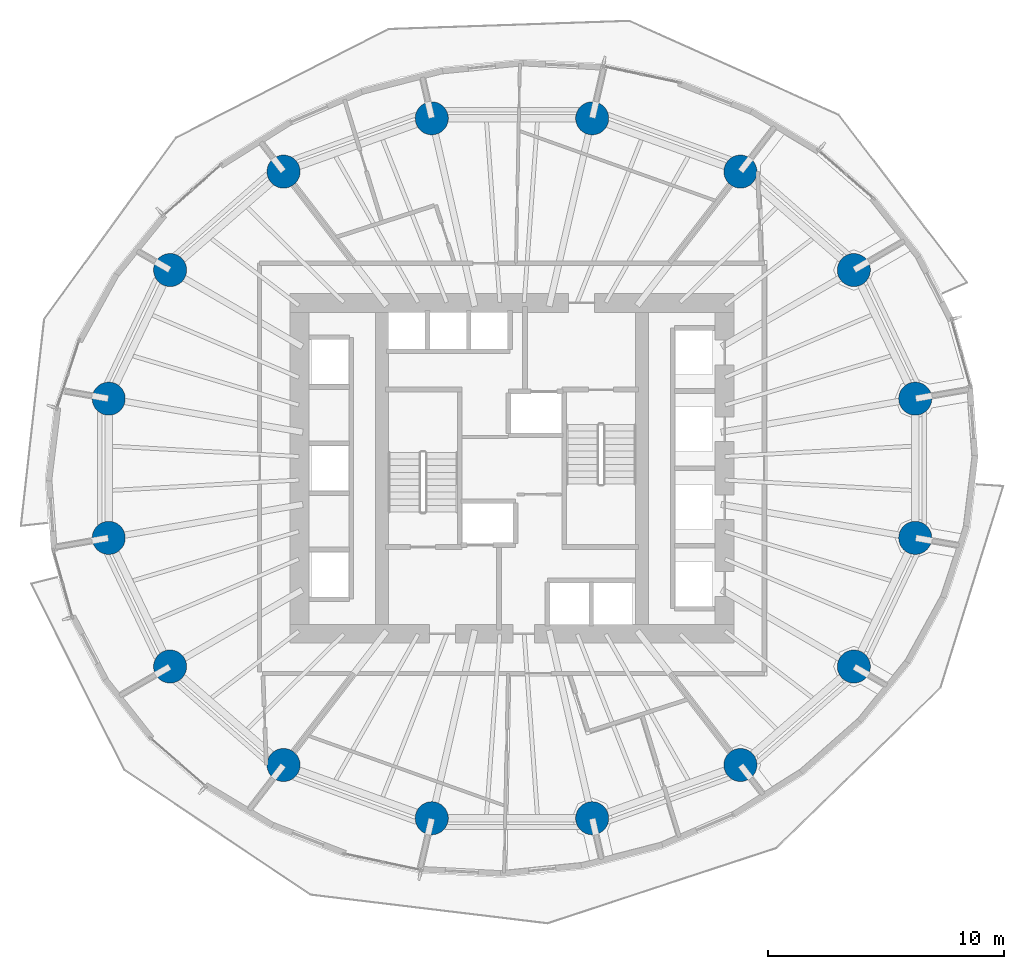
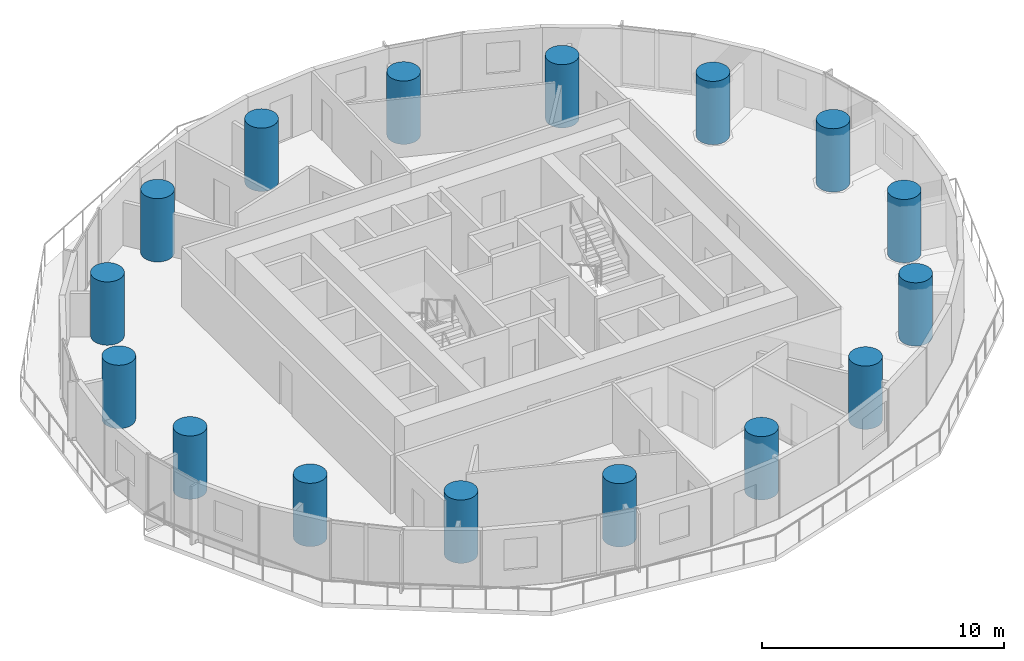
# One storey, part 1 of 13: 16 columns.
"""IFC4 building model written with IfcOpenShell, lengths in metres."""

from ifc_helpers import new_model, si_unit, direction, frame, origin, origin_2d, place, context, subcontext, project, spatial, circle, extrude, material, material_profile, profile_set, type_object, element, save


model = new_model("IFC4")

# Units and contexts
model_context = context("Model", 3, precision=1e-05, world=origin(), true_north=direction((0.0, 1.0)))
body_context = subcontext(model_context, "Body", "Model", "MODEL_VIEW")
ifc_project = project(units=[si_unit("LENGTHUNIT", "METRE"), si_unit("AREAUNIT", "SQUARE_METRE"), si_unit("VOLUMEUNIT", "CUBIC_METRE"), si_unit("PLANEANGLEUNIT", "RADIAN"), si_unit("MASSUNIT", "GRAM", prefix="KILO")], contexts=[model_context])

# Site, building, storey
site_placement = place(None, origin())
site = spatial("IfcSite", under=ifc_project, at=site_placement, CompositionType="ELEMENT")
building_placement = place(site_placement, origin())
building = spatial("IfcBuilding", under=site, at=building_placement, Name="Veldorim Arch Residences", CompositionType="ELEMENT")
storey_placement = place(building_placement, frame((0.0, 0.0, 47.199951171875)))
storey = spatial("IfcBuildingStorey", under=building, at=storey_placement, Name="L13", CompositionType="ELEMENT", Elevation=47.199951171875)

# Columns
ifc_material = material(Name="Concrete C60/75", Category="concrete")
ifc_material_profile = material_profile(ifc_material, circle(Radius=0.699951171875, at=origin_2d()), Name="RC_CIRC_1400")
ifc_profile_set = profile_set([ifc_material_profile], Name="Concrete C60/75")
column_type = type_object("IfcColumnType", Name="Structural Column RC_CIRC_1400", PredefinedType="COLUMN", material=ifc_profile_set)
for number, where, z_axis, x_axis, name in (
    (1, (49.065673828125, 26.94580078125, 0.0), (0.0, 0.0, 1.0), (1.0, 0.0, 0.0), "L13 TC-Z1-01 perimeter column"),
    (2, (46.467529296875, 32.38916015625, 0.0), (0.0, 0.0, 1.0), (1.0, 0.0, 0.0), "L13 TC-Z1-02 perimeter column"),
    (3, (41.6669921875, 36.55517578125, 0.0), (0.0, 0.0, 1.0), (1.0, 0.0, 0.0), "L13 TC-Z1-03 perimeter column"),
    (4, (35.39453125, 38.809814453125, 0.0), (0.0, 0.0, 1.0), (1.0, 0.0, 0.0), "L13 TC-Z1-04 perimeter column"),
    (5, (28.60546875, 38.809814453125, 0.0), (0.0, 0.0, 1.0), (1.0, 0.0, 0.0), "L13 TC-Z1-05 perimeter column"),
    (6, (22.3330078125, 36.55517578125, 0.0), (0.0, 0.0, 1.0), (1.0, 0.0, 0.0), "L13 TC-Z1-06 perimeter column"),
    (7, (17.532470703125, 32.38916015625, 0.0), (0.0, 0.0, 1.0), (1.0, 0.0, 0.0), "L13 TC-Z1-07 perimeter column"),
    (8, (14.934326171875, 26.94580078125, 0.0), (0.0, 0.0, 1.0), (1.0, 0.0, 0.0), "L13 TC-Z1-08 perimeter column"),
    (9, (14.934326171875, 21.05419921875, 0.0), (0.0, 0.0, 1.0), (1.0, 0.0, 0.0), "L13 TC-Z1-09 perimeter column"),
    (10, (17.532470703125, 15.61083984375, 0.0), (0.0, 0.0, 1.0), (1.0, 0.0, 0.0), "L13 TC-Z1-10 perimeter column"),
    (11, (22.3330078125, 11.44482421875, 0.0), (0.0, 0.0, 1.0), (1.0, 0.0, 0.0), "L13 TC-Z1-11 perimeter column"),
    (12, (28.60546875, 9.190185546875, 0.0), (0.0, 0.0, 1.0), (1.0, 0.0, 0.0), "L13 TC-Z1-12 perimeter column"),
    (13, (35.39453125, 9.190185546875, 0.0), (0.0, 0.0, 1.0), (1.0, 0.0, 0.0), "L13 TC-Z1-13 perimeter column"),
    (14, (41.6669921875, 11.44482421875, 0.0), (0.0, 0.0, 1.0), (1.0, 0.0, 0.0), "L13 TC-Z1-14 perimeter column"),
    (15, (46.467529296875, 15.61083984375, 0.0), (0.0, 0.0, 1.0), (1.0, 0.0, 0.0), "L13 TC-Z1-15 perimeter column"),
    (16, (49.065673828125, 21.05419921875, 0.0), (0.0, 0.0, 1.0), (1.0, 0.0, 0.0), "L13 TC-Z1-16 perimeter column"),
):
    element("IfcColumn", number, at=place(storey_placement, frame(where, z_axis=z_axis, x_axis=x_axis)), inside=storey, type_object=column_type, Name=name, PredefinedType="COLUMN", context=body_context, shape_type="SweptSolid", body=[
        extrude(circle(Radius=0.699951171875, at=origin_2d()), origin(), (0.0, 0.0, 1.0), 3.199951171875),
    ])

save(model, "model.ifc")
